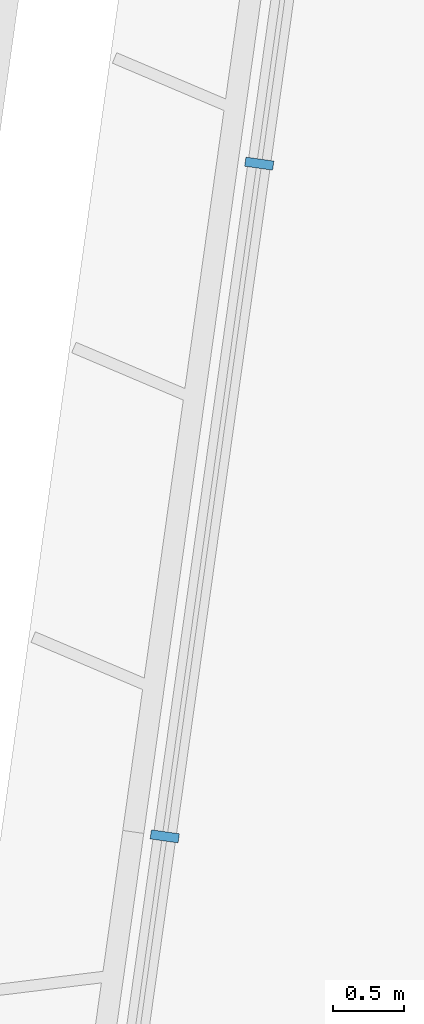
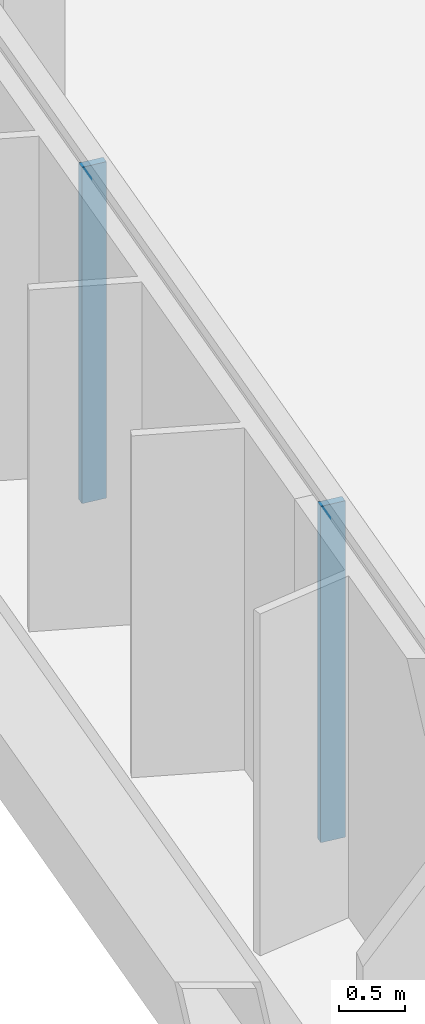
# One storey, part 4 of 36: 2 members, 1 element without a shape of its own.
"""IFC4 building model written with IfcOpenShell, lengths in metres."""

from ifc_helpers import new_model, si_unit, direction, frame, origin, origin_2d, place, context, subcontext, project, spatial, rectangle, extrude, material, material_profile, profile_set, type_object, element, aggregate, save


model = new_model("IFC4")

# Units and contexts
model_context = context("Model", 3, precision=1e-05, world=origin(), true_north=direction((0.0, 1.0)))
body_context = subcontext(model_context, "Body", "Model", "MODEL_VIEW")
ifc_project = project(units=[si_unit("LENGTHUNIT", "METRE"), si_unit("AREAUNIT", "SQUARE_METRE"), si_unit("VOLUMEUNIT", "CUBIC_METRE"), si_unit("PLANEANGLEUNIT", "RADIAN"), si_unit("MASSUNIT", "GRAM", prefix="KILO")], contexts=[model_context])

# Site, building, storey
site_placement = place(None, origin())
site = spatial("IfcSite", under=ifc_project, at=site_placement, CompositionType="ELEMENT")
building_placement = place(site_placement, origin())
building = spatial("IfcBuilding", under=site, at=building_placement, Name="Mirante Cascada Hotel Towers", CompositionType="ELEMENT")
storey_placement = place(building_placement, frame((0.0, 0.0, 254.6)))
storey = spatial("IfcBuildingStorey", under=building, at=storey_placement, Name="L61", CompositionType="ELEMENT", Elevation=254.6)

# Curtain wall, members
ifc_material_1 = material(Name="Aluminium mullion and transom frame with clear laminated glass", Category="aluminium")
curtain_wall_type = type_object("IfcCurtainWallType", Name="End ribbon curtain wall ECW2", PredefinedType="NOTDEFINED", material=ifc_material_1)
curtain_wall_placement = place(storey_placement, origin())
curtain_wall = element("IfcCurtainWall", 1, at=curtain_wall_placement, inside=storey, type_object=curtain_wall_type, Name="Outer end wall T1 L61", PredefinedType="NOTDEFINED")
ifc_material_2 = material(Name="Anodised aluminium extrusion", Category="aluminium")
ifc_material_profile = material_profile(ifc_material_2, rectangle(XDim=0.2, YDim=0.065, at=origin_2d()), Name="ECW2 MULLION 65x200")
ifc_profile_set = profile_set([ifc_material_profile], Name="Anodised aluminium extrusion")
member_type = type_object("IfcMemberType", Name="ECW2 mullion 65x200", PredefinedType="MULLION", material=ifc_profile_set)
member_1_placement = place(storey_placement, frame((-56.5887, 1.7368, 0.1), z_axis=(0.0, 0.0, 1.0), x_axis=(-0.9902681, 0.1391731, 0.0)))
member_1 = element("IfcMember", 2, at=member_1_placement, type_object=member_type, Name="ECW2 mullion 4", PredefinedType="MULLION", context=body_context, shape_type="SweptSolid", body=[
    extrude(rectangle(XDim=0.2, YDim=0.065, at=origin_2d()), origin(), (0.0, 0.0, 1.0), 3.1),
])
member_2_placement = place(storey_placement, frame((-55.9189, 6.5026, 0.1), z_axis=(0.0, 0.0, 1.0), x_axis=(-0.9902681, 0.1391731, 0.0)))
member_2 = element("IfcMember", 3, at=member_2_placement, type_object=member_type, Name="ECW2 mullion 5", PredefinedType="MULLION", context=body_context, shape_type="SweptSolid", body=[
    extrude(rectangle(XDim=0.2, YDim=0.065, at=origin_2d()), origin(), (0.0, 0.0, 1.0), 3.1),
])
aggregate(curtain_wall, [member_1, member_2])

save(model, "model.ifc")
